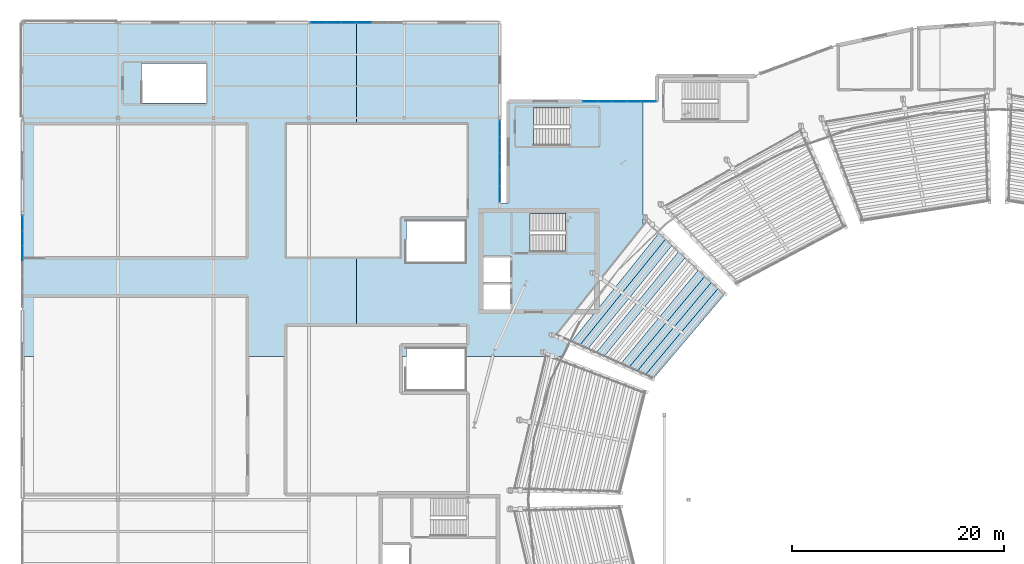
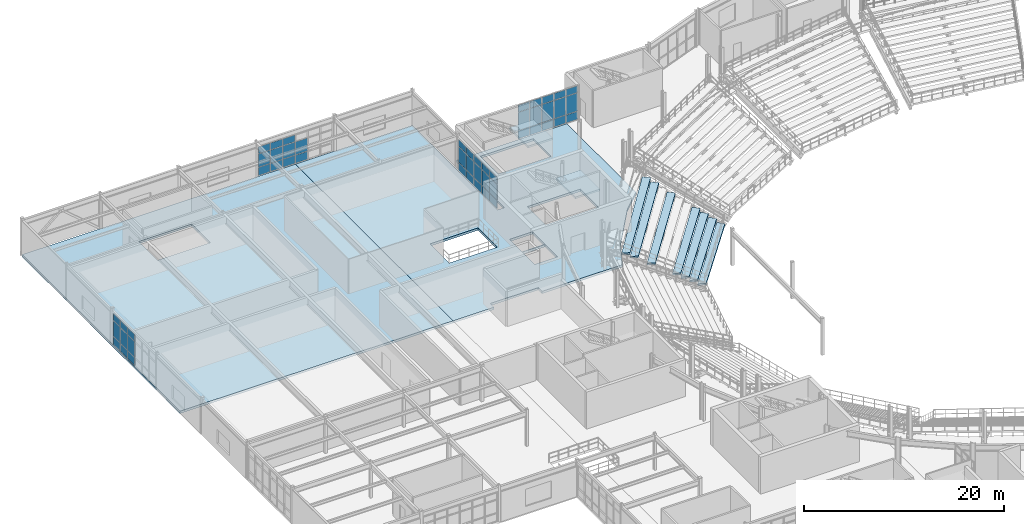
# One storey, part 48 of 81: 50 plates, 11 slabs, 6 elements without a shape of their own.
"""IFC4 building model written with IfcOpenShell, lengths in metres."""

from ifc_helpers import new_model, si_unit, direction, frame, origin, origin_2d, place, context, subcontext, project, spatial, polyline, rectangle, outline, extrude, material, layer, layer_set, type_object, element, aggregate, save


model = new_model("IFC4")

# Units and contexts
model_context = context("Model", 3, precision=1e-05, world=origin(), true_north=direction((0.0, 1.0)))
body_context = subcontext(model_context, "Body", "Model", "MODEL_VIEW")
ifc_project = project(units=[si_unit("LENGTHUNIT", "METRE"), si_unit("AREAUNIT", "SQUARE_METRE"), si_unit("VOLUMEUNIT", "CUBIC_METRE"), si_unit("PLANEANGLEUNIT", "RADIAN"), si_unit("MASSUNIT", "GRAM", prefix="KILO")], contexts=[model_context])

# Site, building, storey
site_placement = place(None, origin())
site = spatial("IfcSite", under=ifc_project, at=site_placement, CompositionType="ELEMENT")
building_placement = place(site_placement, origin())
building = spatial("IfcBuilding", under=site, at=building_placement, Name="Glasvene Arena", CompositionType="ELEMENT")
storey_placement = place(building_placement, frame((0.0, 0.0, 15.0)))
storey = spatial("IfcBuildingStorey", under=building, at=storey_placement, Name="L03", CompositionType="ELEMENT", Elevation=15.0)

# Curtain wall, plates
ifc_material_1 = material(Name="Low-emissivity laminated double glazing", Category="glass")
curtain_wall_type_1 = type_object("IfcCurtainWallType", Name="CW-FAC-L03-864x388", PredefinedType="USERDEFINED", material=ifc_material_1)
curtain_wall_1_placement = place(storey_placement, frame((0.0, 91.172119140625, 0.0)))
curtain_wall_1 = element("IfcCurtainWall", 1, at=curtain_wall_1_placement, inside=storey, type_object=curtain_wall_type_1, Name="Unitised curtain wall CW-F-L03-150-0-955-7", ObjectType="CURTAIN WALL", PredefinedType="USERDEFINED")
ifc_layer_1 = layer(ifc_material_1, 0.028076171875)
ifc_layer_set_1 = layer_set([ifc_layer_1], Name="Low-emissivity laminated double glazing")
plate_type = type_object("IfcPlateType", Name="CW-GLZ-28", PredefinedType="CURTAIN_PANEL", material=ifc_layer_set_1)
plate_1_placement = place(storey_placement, frame((0.0, 96.209716796875, 0.10986328125), z_axis=(0.0, 0.0, 1.0), x_axis=(0.0, 1.0, 0.0)))
plate_1 = element("IfcPlate", 2, at=plate_1_placement, type_object=plate_type, Name="CW-033 panel 4.1", PredefinedType="CURTAIN_PANEL", context=body_context, shape_type="SweptSolid", body=[
    extrude(rectangle(XDim=1.389404296875, YDim=0.028076171875, at=origin_2d()), origin(), (0.0, 0.0, 1.0), 0.965087890625),
])
plate_2_placement = place(storey_placement, frame((0.0, 96.209716796875, 1.125), z_axis=(0.0, 0.0, 1.0), x_axis=(0.0, 1.0, 0.0)))
plate_2 = element("IfcPlate", 3, at=plate_2_placement, type_object=plate_type, Name="CW-033 panel 4.2", PredefinedType="CURTAIN_PANEL", context=body_context, shape_type="SweptSolid", body=[
    extrude(rectangle(XDim=1.389404296875, YDim=0.028076171875, at=origin_2d()), origin(), (0.0, 0.0, 1.0), 1.89501953125),
])
plate_3_placement = place(storey_placement, frame((0.0, 96.209716796875, 3.06982421875), z_axis=(0.0, 0.0, 1.0), x_axis=(0.0, 1.0, 0.0)))
plate_3 = element("IfcPlate", 4, at=plate_3_placement, type_object=plate_type, Name="CW-033 panel 4.3", PredefinedType="CURTAIN_PANEL", context=body_context, shape_type="SweptSolid", body=[
    extrude(rectangle(XDim=1.389404296875, YDim=0.028076171875, at=origin_2d()), origin(), (0.0, 0.0, 1.0), 0.824951171875),
])
plate_4_placement = place(storey_placement, frame((0.0, 97.64892578125, 0.10986328125), z_axis=(0.0, 0.0, 1.0), x_axis=(0.0, 1.0, 0.0)))
plate_4 = element("IfcPlate", 5, at=plate_4_placement, type_object=plate_type, Name="CW-033 panel 5.1", PredefinedType="CURTAIN_PANEL", context=body_context, shape_type="SweptSolid", body=[
    extrude(rectangle(XDim=1.389404296875, YDim=0.028076171875, at=origin_2d()), origin(), (0.0, 0.0, 1.0), 0.965087890625),
])
plate_5_placement = place(storey_placement, frame((0.0, 97.64892578125, 1.125), z_axis=(0.0, 0.0, 1.0), x_axis=(0.0, 1.0, 0.0)))
plate_5 = element("IfcPlate", 6, at=plate_5_placement, type_object=plate_type, Name="CW-033 panel 5.2", PredefinedType="CURTAIN_PANEL", context=body_context, shape_type="SweptSolid", body=[
    extrude(rectangle(XDim=1.389404296875, YDim=0.028076171875, at=origin_2d()), origin(), (0.0, 0.0, 1.0), 1.89501953125),
])
plate_6_placement = place(storey_placement, frame((0.0, 97.64892578125, 3.06982421875), z_axis=(0.0, 0.0, 1.0), x_axis=(0.0, 1.0, 0.0)))
plate_6 = element("IfcPlate", 7, at=plate_6_placement, type_object=plate_type, Name="CW-033 panel 5.3", PredefinedType="CURTAIN_PANEL", context=body_context, shape_type="SweptSolid", body=[
    extrude(rectangle(XDim=1.389404296875, YDim=0.028076171875, at=origin_2d()), origin(), (0.0, 0.0, 1.0), 0.824951171875),
])
plate_7_placement = place(storey_placement, frame((0.0, 99.075927734375, 0.10986328125), z_axis=(0.0, 0.0, 1.0), x_axis=(0.0, 1.0, 0.0)))
plate_7 = element("IfcPlate", 8, at=plate_7_placement, type_object=plate_type, Name="CW-033 panel 6.1", PredefinedType="CURTAIN_PANEL", context=body_context, shape_type="SweptSolid", body=[
    extrude(rectangle(XDim=1.3642578125, YDim=0.028076171875, at=origin_2d()), origin(), (0.0, 0.0, 1.0), 0.965087890625),
])
plate_8_placement = place(storey_placement, frame((0.0, 99.075927734375, 1.125), z_axis=(0.0, 0.0, 1.0), x_axis=(0.0, 1.0, 0.0)))
plate_8 = element("IfcPlate", 9, at=plate_8_placement, type_object=plate_type, Name="CW-033 panel 6.2", PredefinedType="CURTAIN_PANEL", context=body_context, shape_type="SweptSolid", body=[
    extrude(rectangle(XDim=1.3642578125, YDim=0.028076171875, at=origin_2d()), origin(), (0.0, 0.0, 1.0), 1.89501953125),
])
plate_9_placement = place(storey_placement, frame((0.0, 99.075927734375, 3.06982421875), z_axis=(0.0, 0.0, 1.0), x_axis=(0.0, 1.0, 0.0)))
plate_9 = element("IfcPlate", 10, at=plate_9_placement, type_object=plate_type, Name="CW-033 panel 6.3", PredefinedType="CURTAIN_PANEL", context=body_context, shape_type="SweptSolid", body=[
    extrude(rectangle(XDim=1.3642578125, YDim=0.028076171875, at=origin_2d()), origin(), (0.0, 0.0, 1.0), 0.824951171875),
])
aggregate(curtain_wall_1, [plate_1, plate_2, plate_3, plate_4, plate_5, plate_6, plate_7, plate_8, plate_9])

curtain_wall_type_2 = type_object("IfcCurtainWallType", Name="CW-FAC-L03-864x358", PredefinedType="USERDEFINED", material=ifc_material_1)
curtain_wall_2_placement = place(storey_placement, frame((27.170166015625, 118.0, 0.0)))
curtain_wall_2 = element("IfcCurtainWall", 11, at=curtain_wall_2_placement, inside=storey, type_object=curtain_wall_type_2, Name="Unitised curtain wall CW-F-L03-150-315-1180-13", ObjectType="CURTAIN WALL", PredefinedType="USERDEFINED")
plate_10_placement = place(storey_placement, frame((27.902587890625, 118.0, 0.10986328125), z_axis=(0.0, 0.0, 1.0), x_axis=(1.0, 0.0, 0.0)))
plate_10 = element("IfcPlate", 12, at=plate_10_placement, type_object=plate_type, Name="CW-032 panel 1.1", PredefinedType="CURTAIN_PANEL", context=body_context, shape_type="SweptSolid", body=[
    extrude(rectangle(XDim=1.36474609375, YDim=0.028076171875, at=origin_2d()), origin(), (0.0, 0.0, 1.0), 0.965087890625),
])
plate_11_placement = place(storey_placement, frame((27.902587890625, 118.0, 1.125), z_axis=(0.0, 0.0, 1.0), x_axis=(1.0, 0.0, 0.0)))
plate_11 = element("IfcPlate", 13, at=plate_11_placement, type_object=plate_type, Name="CW-032 panel 1.2", PredefinedType="CURTAIN_PANEL", context=body_context, shape_type="SweptSolid", body=[
    extrude(rectangle(XDim=1.36474609375, YDim=0.028076171875, at=origin_2d()), origin(), (0.0, 0.0, 1.0), 1.5869140625),
])
plate_12_placement = place(storey_placement, frame((27.902587890625, 118.0, 2.76220703125), z_axis=(0.0, 0.0, 1.0), x_axis=(1.0, 0.0, 0.0)))
plate_12 = element("IfcPlate", 14, at=plate_12_placement, type_object=plate_type, Name="CW-032 panel 1.3", PredefinedType="CURTAIN_PANEL", context=body_context, shape_type="SweptSolid", body=[
    extrude(rectangle(XDim=1.36474609375, YDim=0.028076171875, at=origin_2d()), origin(), (0.0, 0.0, 1.0), 0.824951171875),
])
plate_13_placement = place(storey_placement, frame((29.32958984375, 118.0, 0.10986328125), z_axis=(0.0, 0.0, 1.0), x_axis=(1.0, 0.0, 0.0)))
plate_13 = element("IfcPlate", 15, at=plate_13_placement, type_object=plate_type, Name="CW-032 panel 2.1", PredefinedType="CURTAIN_PANEL", context=body_context, shape_type="SweptSolid", body=[
    extrude(rectangle(XDim=1.3896484375, YDim=0.028076171875, at=origin_2d()), origin(), (0.0, 0.0, 1.0), 0.965087890625),
])
plate_14_placement = place(storey_placement, frame((29.32958984375, 118.0, 1.125), z_axis=(0.0, 0.0, 1.0), x_axis=(1.0, 0.0, 0.0)))
plate_14 = element("IfcPlate", 16, at=plate_14_placement, type_object=plate_type, Name="CW-032 panel 2.2", PredefinedType="CURTAIN_PANEL", context=body_context, shape_type="SweptSolid", body=[
    extrude(rectangle(XDim=1.3896484375, YDim=0.028076171875, at=origin_2d()), origin(), (0.0, 0.0, 1.0), 1.5869140625),
])
plate_15_placement = place(storey_placement, frame((29.32958984375, 118.0, 2.76220703125), z_axis=(0.0, 0.0, 1.0), x_axis=(1.0, 0.0, 0.0)))
plate_15 = element("IfcPlate", 17, at=plate_15_placement, type_object=plate_type, Name="CW-032 panel 2.3", PredefinedType="CURTAIN_PANEL", context=body_context, shape_type="SweptSolid", body=[
    extrude(rectangle(XDim=1.3896484375, YDim=0.028076171875, at=origin_2d()), origin(), (0.0, 0.0, 1.0), 0.824951171875),
])
plate_16_placement = place(storey_placement, frame((30.769287109375, 118.0, 0.10986328125), z_axis=(0.0, 0.0, 1.0), x_axis=(1.0, 0.0, 0.0)))
plate_16 = element("IfcPlate", 18, at=plate_16_placement, type_object=plate_type, Name="CW-032 panel 3.1", PredefinedType="CURTAIN_PANEL", context=body_context, shape_type="SweptSolid", body=[
    extrude(rectangle(XDim=1.3896484375, YDim=0.028076171875, at=origin_2d()), origin(), (0.0, 0.0, 1.0), 0.965087890625),
])
plate_17_placement = place(storey_placement, frame((30.769287109375, 118.0, 1.125), z_axis=(0.0, 0.0, 1.0), x_axis=(1.0, 0.0, 0.0)))
plate_17 = element("IfcPlate", 19, at=plate_17_placement, type_object=plate_type, Name="CW-032 panel 3.2", PredefinedType="CURTAIN_PANEL", context=body_context, shape_type="SweptSolid", body=[
    extrude(rectangle(XDim=1.3896484375, YDim=0.028076171875, at=origin_2d()), origin(), (0.0, 0.0, 1.0), 1.5869140625),
])
plate_18_placement = place(storey_placement, frame((30.769287109375, 118.0, 2.76220703125), z_axis=(0.0, 0.0, 1.0), x_axis=(1.0, 0.0, 0.0)))
plate_18 = element("IfcPlate", 20, at=plate_18_placement, type_object=plate_type, Name="CW-032 panel 3.3", PredefinedType="CURTAIN_PANEL", context=body_context, shape_type="SweptSolid", body=[
    extrude(rectangle(XDim=1.3896484375, YDim=0.028076171875, at=origin_2d()), origin(), (0.0, 0.0, 1.0), 0.824951171875),
])
plate_19_placement = place(storey_placement, frame((32.208984375, 118.0, 0.10986328125), z_axis=(0.0, 0.0, 1.0), x_axis=(1.0, 0.0, 0.0)))
plate_19 = element("IfcPlate", 21, at=plate_19_placement, type_object=plate_type, Name="CW-032 panel 4.1", PredefinedType="CURTAIN_PANEL", context=body_context, shape_type="SweptSolid", body=[
    extrude(rectangle(XDim=1.3896484375, YDim=0.028076171875, at=origin_2d()), origin(), (0.0, 0.0, 1.0), 0.965087890625),
])
plate_20_placement = place(storey_placement, frame((32.208984375, 118.0, 1.125), z_axis=(0.0, 0.0, 1.0), x_axis=(1.0, 0.0, 0.0)))
plate_20 = element("IfcPlate", 22, at=plate_20_placement, type_object=plate_type, Name="CW-032 panel 4.2", PredefinedType="CURTAIN_PANEL", context=body_context, shape_type="SweptSolid", body=[
    extrude(rectangle(XDim=1.3896484375, YDim=0.028076171875, at=origin_2d()), origin(), (0.0, 0.0, 1.0), 1.5869140625),
])
aggregate(curtain_wall_2, [plate_10, plate_11, plate_12, plate_13, plate_14, plate_15, plate_16, plate_17, plate_18, plate_19, plate_20])

curtain_wall_type_3 = type_object("IfcCurtainWallType", Name="CW-FAC-L03-777x388", PredefinedType="USERDEFINED", material=ifc_material_1)
curtain_wall_3_placement = place(storey_placement, frame((45.0, 108.80810546875, 0.0)))
curtain_wall_3 = element("IfcCurtainWall", 23, at=curtain_wall_3_placement, inside=storey, type_object=curtain_wall_type_3, Name="Unitised curtain wall CW-F-L03-150-450-1049-16", ObjectType="CURTAIN WALL", PredefinedType="USERDEFINED")
plate_21_placement = place(storey_placement, frame((45.0, 108.018798828125, 0.10986328125), z_axis=(0.0, 0.0, 1.0), x_axis=(0.0, -1.0, 0.0)))
plate_21 = element("IfcPlate", 24, at=plate_21_placement, type_object=plate_type, Name="CW-034 panel 1.1", PredefinedType="CURTAIN_PANEL", context=body_context, shape_type="SweptSolid", body=[
    extrude(rectangle(XDim=1.478515625, YDim=0.028076171875, at=origin_2d()), origin(), (0.0, 0.0, 1.0), 0.965087890625),
])
plate_22_placement = place(storey_placement, frame((45.0, 108.018798828125, 1.125), z_axis=(0.0, 0.0, 1.0), x_axis=(0.0, -1.0, 0.0)))
plate_22 = element("IfcPlate", 25, at=plate_22_placement, type_object=plate_type, Name="CW-034 panel 1.2", PredefinedType="CURTAIN_PANEL", context=body_context, shape_type="SweptSolid", body=[
    extrude(rectangle(XDim=1.478515625, YDim=0.028076171875, at=origin_2d()), origin(), (0.0, 0.0, 1.0), 1.89501953125),
])
plate_23_placement = place(storey_placement, frame((45.0, 108.018798828125, 3.06982421875), z_axis=(0.0, 0.0, 1.0), x_axis=(0.0, -1.0, 0.0)))
plate_23 = element("IfcPlate", 26, at=plate_23_placement, type_object=plate_type, Name="CW-034 panel 1.3", PredefinedType="CURTAIN_PANEL", context=body_context, shape_type="SweptSolid", body=[
    extrude(rectangle(XDim=1.478515625, YDim=0.028076171875, at=origin_2d()), origin(), (0.0, 0.0, 1.0), 0.824951171875),
])
plate_24_placement = place(storey_placement, frame((45.0, 106.4775390625, 0.10986328125), z_axis=(0.0, 0.0, 1.0), x_axis=(0.0, -1.0, 0.0)))
plate_24 = element("IfcPlate", 27, at=plate_24_placement, type_object=plate_type, Name="CW-034 panel 2.1", PredefinedType="CURTAIN_PANEL", context=body_context, shape_type="SweptSolid", body=[
    extrude(rectangle(XDim=1.503662109375, YDim=0.028076171875, at=origin_2d()), origin(), (0.0, 0.0, 1.0), 0.965087890625),
])
plate_25_placement = place(storey_placement, frame((45.0, 106.4775390625, 1.125), z_axis=(0.0, 0.0, 1.0), x_axis=(0.0, -1.0, 0.0)))
plate_25 = element("IfcPlate", 28, at=plate_25_placement, type_object=plate_type, Name="CW-034 panel 2.2", PredefinedType="CURTAIN_PANEL", context=body_context, shape_type="SweptSolid", body=[
    extrude(rectangle(XDim=1.503662109375, YDim=0.028076171875, at=origin_2d()), origin(), (0.0, 0.0, 1.0), 1.89501953125),
])
plate_26_placement = place(storey_placement, frame((45.0, 106.4775390625, 3.06982421875), z_axis=(0.0, 0.0, 1.0), x_axis=(0.0, -1.0, 0.0)))
plate_26 = element("IfcPlate", 29, at=plate_26_placement, type_object=plate_type, Name="CW-034 panel 2.3", PredefinedType="CURTAIN_PANEL", context=body_context, shape_type="SweptSolid", body=[
    extrude(rectangle(XDim=1.503662109375, YDim=0.028076171875, at=origin_2d()), origin(), (0.0, 0.0, 1.0), 0.824951171875),
])
plate_27_placement = place(storey_placement, frame((45.0, 104.924072265625, 0.10986328125), z_axis=(0.0, 0.0, 1.0), x_axis=(0.0, -1.0, 0.0)))
plate_27 = element("IfcPlate", 30, at=plate_27_placement, type_object=plate_type, Name="CW-034 panel 3.1", PredefinedType="CURTAIN_PANEL", context=body_context, shape_type="SweptSolid", body=[
    extrude(rectangle(XDim=1.503662109375, YDim=0.028076171875, at=origin_2d()), origin(), (0.0, 0.0, 1.0), 0.965087890625),
])
plate_28_placement = place(storey_placement, frame((45.0, 104.924072265625, 1.125), z_axis=(0.0, 0.0, 1.0), x_axis=(0.0, -1.0, 0.0)))
plate_28 = element("IfcPlate", 31, at=plate_28_placement, type_object=plate_type, Name="CW-034 panel 3.2", PredefinedType="CURTAIN_PANEL", context=body_context, shape_type="SweptSolid", body=[
    extrude(rectangle(XDim=1.503662109375, YDim=0.028076171875, at=origin_2d()), origin(), (0.0, 0.0, 1.0), 1.89501953125),
])
plate_29_placement = place(storey_placement, frame((45.0, 104.924072265625, 3.06982421875), z_axis=(0.0, 0.0, 1.0), x_axis=(0.0, -1.0, 0.0)))
plate_29 = element("IfcPlate", 32, at=plate_29_placement, type_object=plate_type, Name="CW-034 panel 3.3", PredefinedType="CURTAIN_PANEL", context=body_context, shape_type="SweptSolid", body=[
    extrude(rectangle(XDim=1.503662109375, YDim=0.028076171875, at=origin_2d()), origin(), (0.0, 0.0, 1.0), 0.824951171875),
])
plate_30_placement = place(storey_placement, frame((45.0, 103.370361328125, 0.10986328125), z_axis=(0.0, 0.0, 1.0), x_axis=(0.0, -1.0, 0.0)))
plate_30 = element("IfcPlate", 33, at=plate_30_placement, type_object=plate_type, Name="CW-034 panel 4.1", PredefinedType="CURTAIN_PANEL", context=body_context, shape_type="SweptSolid", body=[
    extrude(rectangle(XDim=1.503662109375, YDim=0.028076171875, at=origin_2d()), origin(), (0.0, 0.0, 1.0), 0.965087890625),
])
plate_31_placement = place(storey_placement, frame((45.0, 103.370361328125, 1.125), z_axis=(0.0, 0.0, 1.0), x_axis=(0.0, -1.0, 0.0)))
plate_31 = element("IfcPlate", 34, at=plate_31_placement, type_object=plate_type, Name="CW-034 panel 4.2", PredefinedType="CURTAIN_PANEL", context=body_context, shape_type="SweptSolid", body=[
    extrude(rectangle(XDim=1.503662109375, YDim=0.028076171875, at=origin_2d()), origin(), (0.0, 0.0, 1.0), 1.89501953125),
])
plate_32_placement = place(storey_placement, frame((45.0, 103.370361328125, 3.06982421875), z_axis=(0.0, 0.0, 1.0), x_axis=(0.0, -1.0, 0.0)))
plate_32 = element("IfcPlate", 35, at=plate_32_placement, type_object=plate_type, Name="CW-034 panel 4.3", PredefinedType="CURTAIN_PANEL", context=body_context, shape_type="SweptSolid", body=[
    extrude(rectangle(XDim=1.503662109375, YDim=0.028076171875, at=origin_2d()), origin(), (0.0, 0.0, 1.0), 0.824951171875),
])
plate_33_placement = place(storey_placement, frame((45.0, 101.829345703125, 0.10986328125), z_axis=(0.0, 0.0, 1.0), x_axis=(0.0, -1.0, 0.0)))
plate_33 = element("IfcPlate", 36, at=plate_33_placement, type_object=plate_type, Name="CW-034 panel 5.1", PredefinedType="CURTAIN_PANEL", context=body_context, shape_type="SweptSolid", body=[
    extrude(rectangle(XDim=1.478515625, YDim=0.028076171875, at=origin_2d()), origin(), (0.0, 0.0, 1.0), 0.965087890625),
])
plate_34_placement = place(storey_placement, frame((45.0, 101.829345703125, 1.125), z_axis=(0.0, 0.0, 1.0), x_axis=(0.0, -1.0, 0.0)))
plate_34 = element("IfcPlate", 37, at=plate_34_placement, type_object=plate_type, Name="CW-034 panel 5.2", PredefinedType="CURTAIN_PANEL", context=body_context, shape_type="SweptSolid", body=[
    extrude(rectangle(XDim=1.478515625, YDim=0.028076171875, at=origin_2d()), origin(), (0.0, 0.0, 1.0), 1.89501953125),
])
plate_35_placement = place(storey_placement, frame((45.0, 101.829345703125, 3.06982421875), z_axis=(0.0, 0.0, 1.0), x_axis=(0.0, -1.0, 0.0)))
plate_35 = element("IfcPlate", 38, at=plate_35_placement, type_object=plate_type, Name="CW-034 panel 5.3", PredefinedType="CURTAIN_PANEL", context=body_context, shape_type="SweptSolid", body=[
    extrude(rectangle(XDim=1.478515625, YDim=0.028076171875, at=origin_2d()), origin(), (0.0, 0.0, 1.0), 0.824951171875),
])
aggregate(curtain_wall_3, [plate_21, plate_22, plate_23, plate_24, plate_25, plate_26, plate_27, plate_28, plate_29, plate_30, plate_31, plate_32, plate_33, plate_34, plate_35])

curtain_wall_type_4 = type_object("IfcCurtainWallType", Name="CW-FAC-L03-692x419", PredefinedType="USERDEFINED", material=ifc_material_1)
curtain_wall_4_placement = place(storey_placement, frame((52.840087890625, 110.550048828125, 0.0)))
curtain_wall_4 = element("IfcCurtainWall", 39, at=curtain_wall_4_placement, inside=storey, type_object=curtain_wall_type_4, Name="Unitised curtain wall CW-F-L03-180-563-1106-19", ObjectType="CURTAIN WALL", PredefinedType="USERDEFINED")
plate_36_placement = place(storey_placement, frame((53.54443359375, 110.550048828125, 0.10986328125), z_axis=(0.0, 0.0, 1.0), x_axis=(1.0, 0.0, 0.0)))
plate_36 = element("IfcPlate", 40, at=plate_36_placement, type_object=plate_type, Name="CW-035 panel 1.1", PredefinedType="CURTAIN_PANEL", context=body_context, shape_type="SweptSolid", body=[
    extrude(rectangle(XDim=1.30908203125, YDim=0.028076171875, at=origin_2d()), origin(), (0.0, 0.0, 1.0), 0.965087890625),
])
plate_37_placement = place(storey_placement, frame((53.54443359375, 110.550048828125, 1.125), z_axis=(0.0, 0.0, 1.0), x_axis=(1.0, 0.0, 0.0)))
plate_37 = element("IfcPlate", 41, at=plate_37_placement, type_object=plate_type, Name="CW-035 panel 1.2", PredefinedType="CURTAIN_PANEL", context=body_context, shape_type="SweptSolid", body=[
    extrude(rectangle(XDim=1.30908203125, YDim=0.028076171875, at=origin_2d()), origin(), (0.0, 0.0, 1.0), 2.199951171875),
])
plate_38_placement = place(storey_placement, frame((53.54443359375, 110.550048828125, 3.375), z_axis=(0.0, 0.0, 1.0), x_axis=(1.0, 0.0, 0.0)))
plate_38 = element("IfcPlate", 42, at=plate_38_placement, type_object=plate_type, Name="CW-035 panel 1.3", PredefinedType="CURTAIN_PANEL", context=body_context, shape_type="SweptSolid", body=[
    extrude(rectangle(XDim=1.30908203125, YDim=0.028076171875, at=origin_2d()), origin(), (0.0, 0.0, 1.0), 0.824951171875),
])
plate_39_placement = place(storey_placement, frame((54.916015625, 110.550048828125, 0.10986328125), z_axis=(0.0, 0.0, 1.0), x_axis=(1.0, 0.0, 0.0)))
plate_39 = element("IfcPlate", 43, at=plate_39_placement, type_object=plate_type, Name="CW-035 panel 2.1", PredefinedType="CURTAIN_PANEL", context=body_context, shape_type="SweptSolid", body=[
    extrude(rectangle(XDim=1.333984375, YDim=0.028076171875, at=origin_2d()), origin(), (0.0, 0.0, 1.0), 0.965087890625),
])
plate_40_placement = place(storey_placement, frame((54.916015625, 110.550048828125, 1.125), z_axis=(0.0, 0.0, 1.0), x_axis=(1.0, 0.0, 0.0)))
plate_40 = element("IfcPlate", 44, at=plate_40_placement, type_object=plate_type, Name="CW-035 panel 2.2", PredefinedType="CURTAIN_PANEL", context=body_context, shape_type="SweptSolid", body=[
    extrude(rectangle(XDim=1.333984375, YDim=0.028076171875, at=origin_2d()), origin(), (0.0, 0.0, 1.0), 2.199951171875),
])
plate_41_placement = place(storey_placement, frame((54.916015625, 110.550048828125, 3.375), z_axis=(0.0, 0.0, 1.0), x_axis=(1.0, 0.0, 0.0)))
plate_41 = element("IfcPlate", 45, at=plate_41_placement, type_object=plate_type, Name="CW-035 panel 2.3", PredefinedType="CURTAIN_PANEL", context=body_context, shape_type="SweptSolid", body=[
    extrude(rectangle(XDim=1.333984375, YDim=0.028076171875, at=origin_2d()), origin(), (0.0, 0.0, 1.0), 0.824951171875),
])
plate_42_placement = place(storey_placement, frame((56.300048828125, 110.550048828125, 0.10986328125), z_axis=(0.0, 0.0, 1.0), x_axis=(1.0, 0.0, 0.0)))
plate_42 = element("IfcPlate", 46, at=plate_42_placement, type_object=plate_type, Name="CW-035 panel 3.1", PredefinedType="CURTAIN_PANEL", context=body_context, shape_type="SweptSolid", body=[
    extrude(rectangle(XDim=1.333984375, YDim=0.028076171875, at=origin_2d()), origin(), (0.0, 0.0, 1.0), 0.965087890625),
])
plate_43_placement = place(storey_placement, frame((56.300048828125, 110.550048828125, 1.125), z_axis=(0.0, 0.0, 1.0), x_axis=(1.0, 0.0, 0.0)))
plate_43 = element("IfcPlate", 47, at=plate_43_placement, type_object=plate_type, Name="CW-035 panel 3.2", PredefinedType="CURTAIN_PANEL", context=body_context, shape_type="SweptSolid", body=[
    extrude(rectangle(XDim=1.333984375, YDim=0.028076171875, at=origin_2d()), origin(), (0.0, 0.0, 1.0), 2.199951171875),
])
plate_44_placement = place(storey_placement, frame((56.300048828125, 110.550048828125, 3.375), z_axis=(0.0, 0.0, 1.0), x_axis=(1.0, 0.0, 0.0)))
plate_44 = element("IfcPlate", 48, at=plate_44_placement, type_object=plate_type, Name="CW-035 panel 3.3", PredefinedType="CURTAIN_PANEL", context=body_context, shape_type="SweptSolid", body=[
    extrude(rectangle(XDim=1.333984375, YDim=0.028076171875, at=origin_2d()), origin(), (0.0, 0.0, 1.0), 0.824951171875),
])
plate_45_placement = place(storey_placement, frame((57.68408203125, 110.550048828125, 0.10986328125), z_axis=(0.0, 0.0, 1.0), x_axis=(1.0, 0.0, 0.0)))
plate_45 = element("IfcPlate", 49, at=plate_45_placement, type_object=plate_type, Name="CW-035 panel 4.1", PredefinedType="CURTAIN_PANEL", context=body_context, shape_type="SweptSolid", body=[
    extrude(rectangle(XDim=1.333984375, YDim=0.028076171875, at=origin_2d()), origin(), (0.0, 0.0, 1.0), 0.965087890625),
])
plate_46_placement = place(storey_placement, frame((57.68408203125, 110.550048828125, 1.125), z_axis=(0.0, 0.0, 1.0), x_axis=(1.0, 0.0, 0.0)))
plate_46 = element("IfcPlate", 50, at=plate_46_placement, type_object=plate_type, Name="CW-035 panel 4.2", PredefinedType="CURTAIN_PANEL", context=body_context, shape_type="SweptSolid", body=[
    extrude(rectangle(XDim=1.333984375, YDim=0.028076171875, at=origin_2d()), origin(), (0.0, 0.0, 1.0), 2.199951171875),
])
plate_47_placement = place(storey_placement, frame((57.68408203125, 110.550048828125, 3.375), z_axis=(0.0, 0.0, 1.0), x_axis=(1.0, 0.0, 0.0)))
plate_47 = element("IfcPlate", 51, at=plate_47_placement, type_object=plate_type, Name="CW-035 panel 4.3", PredefinedType="CURTAIN_PANEL", context=body_context, shape_type="SweptSolid", body=[
    extrude(rectangle(XDim=1.333984375, YDim=0.028076171875, at=origin_2d()), origin(), (0.0, 0.0, 1.0), 0.824951171875),
])
plate_48_placement = place(storey_placement, frame((59.055419921875, 110.550048828125, 0.10986328125), z_axis=(0.0, 0.0, 1.0), x_axis=(1.0, 0.0, 0.0)))
plate_48 = element("IfcPlate", 52, at=plate_48_placement, type_object=plate_type, Name="CW-035 panel 5.1", PredefinedType="CURTAIN_PANEL", context=body_context, shape_type="SweptSolid", body=[
    extrude(rectangle(XDim=1.30908203125, YDim=0.028076171875, at=origin_2d()), origin(), (0.0, 0.0, 1.0), 0.965087890625),
])
plate_49_placement = place(storey_placement, frame((59.055419921875, 110.550048828125, 1.125), z_axis=(0.0, 0.0, 1.0), x_axis=(1.0, 0.0, 0.0)))
plate_49 = element("IfcPlate", 53, at=plate_49_placement, type_object=plate_type, Name="CW-035 panel 5.2", PredefinedType="CURTAIN_PANEL", context=body_context, shape_type="SweptSolid", body=[
    extrude(rectangle(XDim=1.30908203125, YDim=0.028076171875, at=origin_2d()), origin(), (0.0, 0.0, 1.0), 2.199951171875),
])
plate_50_placement = place(storey_placement, frame((59.055419921875, 110.550048828125, 3.375), z_axis=(0.0, 0.0, 1.0), x_axis=(1.0, 0.0, 0.0)))
plate_50 = element("IfcPlate", 54, at=plate_50_placement, type_object=plate_type, Name="CW-035 panel 5.3", PredefinedType="CURTAIN_PANEL", context=body_context, shape_type="SweptSolid", body=[
    extrude(rectangle(XDim=1.30908203125, YDim=0.028076171875, at=origin_2d()), origin(), (0.0, 0.0, 1.0), 0.824951171875),
])
aggregate(curtain_wall_4, [plate_36, plate_37, plate_38, plate_39, plate_40, plate_41, plate_42, plate_43, plate_44, plate_45, plate_46, plate_47, plate_48, plate_49, plate_50])

# Slabs
ifc_material_2 = material(Name="Concrete C40/50", Category="concrete")
ifc_layer_2 = layer(ifc_material_2, 0.280029296875)
ifc_layer_set_2 = layer_set([ifc_layer_2], Name="Concrete C40/50")
slab_type_1 = type_object("IfcSlabType", Name="SL-CONC-280", PredefinedType="FLOOR", material=ifc_layer_set_2)
slab_1_placement = place(storey_placement, frame((15.75, 102.25, -0.280029296875)))
element("IfcSlab", 55, at=slab_1_placement, inside=storey, type_object=slab_type_1, Name="Structural floor slab L03 sector 4-1 (95)", PredefinedType="FLOOR", context=body_context, shape_type="SweptSolid", body=[
    extrude(outline(polyline([(15.75, 15.75), (15.75, -15.75), (-15.75, -15.75), (-15.75, 15.75), (15.75, 15.75)]), holes=[polyline([(1.550048828125, 8.14990234375), (1.550048828125, 11.89990234375), (-4.548095703125, 11.89990234375), (-4.548095703125, 8.14990234375), (1.550048828125, 8.14990234375)])]), origin(), (0.0, 0.0, 1.0), 0.280029296875),
])
slab_2_placement = place(storey_placement, frame((45.158935546875, 97.373291015625, -0.280029296875)))
element("IfcSlab", 56, at=slab_2_placement, inside=storey, type_object=slab_type_1, Name="Structural floor slab L03 sector 4-2 (96)", PredefinedType="FLOOR", context=body_context, shape_type="SweptSolid", body=[
    extrude(outline(polyline([(-0.158935546875, 3.626708984375), (0.64111328125, 3.626708984375), (0.64111328125, 13.1767578125), (13.341064453125, 13.1767578125), (13.341064453125, -0.60595703125), (11.08251953125, -2.801513671875), (7.45849609375, -7.711669921875), (5.88134765625, -10.873291015625), (-3.4189453125, -10.873291015625), (-3.4189453125, -10.123291015625), (-8.95703125, -10.123291015625), (-8.95703125, -10.873291015625), (-13.658935546875, -10.873291015625), (-13.658935546875, 20.626708984375), (-0.158935546875, 20.626708984375), (-0.158935546875, 3.626708984375)]), holes=[polyline([(0.941162109375, -6.42333984375), (0.941162109375, -3.973388671875), (-1.708984375, -3.973388671875), (-1.708984375, -6.42333984375), (0.941162109375, -6.42333984375)]), polyline([(0.941162109375, -3.873291015625), (0.941162109375, -1.42333984375), (-1.708984375, -1.42333984375), (-1.708984375, -3.873291015625), (0.941162109375, -3.873291015625)]), polyline([(-3.4189453125, -1.973388671875), (-3.4189453125, 1.876708984375), (-8.95703125, 1.876708984375), (-8.95703125, -1.973388671875), (-3.4189453125, -1.973388671875)]), polyline([(8.791015625, -1.023193359375), (8.791015625, 2.626708984375), (2.693115234375, 2.626708984375), (2.693115234375, -1.023193359375), (8.791015625, -1.023193359375)]), polyline([(9.14111328125, 9.026611328125), (9.14111328125, 12.57666015625), (3.04296875, 12.57666015625), (3.04296875, 9.026611328125), (9.14111328125, 9.026611328125)])]), origin(), (0.0, 0.0, 1.0), 0.280029296875),
])

# Stair, slab
stair_type_1 = type_object("IfcStairType", Name="ST-HT-450-170", PredefinedType="HALF_TURN_STAIR", material=ifc_material_2)
stair_1_placement = place(storey_placement, origin())
stair_1 = element("IfcStair", 57, at=stair_1_placement, inside=storey, type_object=stair_type_1, Name="Protected escape stair ST-01 (L03 to L04)", PredefinedType="HALF_TURN_STAIR")
ifc_layer_3 = layer(ifc_material_2, 0.219970703125)
ifc_layer_set_3 = layer_set([ifc_layer_3], Name="Concrete C40/50")
slab_type_2 = type_object("IfcSlabType", Name="SL-LAND-220", PredefinedType="LANDING", material=ifc_layer_set_3)
slab_3_placement = place(storey_placement, frame((52.6298828125, 98.175048828125, 2.030029296875)))
slab_3 = element("IfcSlab", 58, at=slab_3_placement, type_object=slab_type_2, Name="Protected escape stair ST-01 (L03 to L04) landing 1", PredefinedType="LANDING", context=body_context, shape_type="SweptSolid", body=[
    extrude(outline(polyline([(-1.419921875, -1.925048828125), (1.420166015625, -1.925048828125), (1.420166015625, 1.925048828125), (-1.419921875, 1.925048828125), (-1.419921875, -1.925048828125)])), origin(), (0.0, 0.0, 1.0), 0.219970703125),
])
aggregate(stair_1, [slab_3])

stair_type_2 = type_object("IfcStairType", Name="ST-HT-450-165", PredefinedType="HALF_TURN_STAIR", material=ifc_material_2)
stair_2_placement = place(storey_placement, origin())
stair_2 = element("IfcStair", 59, at=stair_2_placement, inside=storey, type_object=stair_type_2, Name="Protected escape stair ST-12 (L03 to L04)", PredefinedType="HALF_TURN_STAIR")
slab_4_placement = place(storey_placement, frame((52.97998046875, 108.175048828125, 2.030029296875)))
slab_4 = element("IfcSlab", 60, at=slab_4_placement, type_object=slab_type_2, Name="Protected escape stair ST-12 (L03 to L04) landing 1", PredefinedType="LANDING", context=body_context, shape_type="SweptSolid", body=[
    extrude(outline(polyline([(-1.419921875, -1.875), (1.419921875, -1.875), (1.419921875, 1.875), (-1.419921875, 1.875), (-1.419921875, -1.875)])), origin(), (0.0, 0.0, 1.0), 0.219970703125),
])
aggregate(stair_2, [slab_4])

# Slabs
ifc_material_3 = material(Name="Precast concrete C50/60", Category="concrete")
ifc_layer_4 = layer(ifc_material_3, 0.199951171875)
ifc_layer_set_4 = layer_set([ifc_layer_4], Name="Precast concrete C50/60")
slab_type_3 = type_object("IfcSlabType", Name="SL-TIER-UP", PredefinedType="USERDEFINED", material=ifc_layer_set_4)
slab_5_placement = place(storey_placement, frame((62.496826171875, 88.609130859375, -4.10009765625)))
element("IfcSlab", 61, at=slab_5_placement, inside=storey, type_object=slab_type_3, Name="Stand upper tier sector 07 row 01", ObjectType="SEATING TIER", PredefinedType="USERDEFINED", context=body_context, shape_type="SweptSolid", body=[
    extrude(outline(polyline([(3.765625, 3.8046875), (-3.0693359375, -4.26953125), (-3.84716796875, -3.926513671875), (3.15087890625, 4.391845703125), (3.765625, 3.8046875)])), origin(), (0.0, 0.0, 1.0), 0.2001953125),
])
slab_6_placement = place(storey_placement, frame((61.80078125, 89.074462890625, -3.6201171875)))
element("IfcSlab", 62, at=slab_6_placement, inside=storey, type_object=slab_type_3, Name="Stand upper tier sector 07 row 02", ObjectType="SEATING TIER", PredefinedType="USERDEFINED", context=body_context, shape_type="SweptSolid", body=[
    extrude(outline(polyline([(3.846923828125, 3.926513671875), (-3.151123046875, -4.391845703125), (-3.9287109375, -4.048828125), (3.232421875, 4.513916015625), (3.846923828125, 3.926513671875)])), origin(), (0.0, 0.0, 1.0), 0.2001953125),
])
slab_7_placement = place(storey_placement, frame((61.1044921875, 89.53955078125, -3.139892578125)))
element("IfcSlab", 63, at=slab_7_placement, inside=storey, type_object=slab_type_3, Name="Stand upper tier sector 07 row 03", ObjectType="SEATING TIER", PredefinedType="USERDEFINED", context=body_context, shape_type="SweptSolid", body=[
    extrude(outline(polyline([(3.9287109375, 4.048828125), (-3.232421875, -4.513916015625), (-4.01025390625, -4.1708984375), (3.314208984375, 4.635986328125), (3.9287109375, 4.048828125)])), origin(), (0.0, 0.0, 1.0), 0.199951171875),
])
slab_8_placement = place(storey_placement, frame((60.408447265625, 90.004638671875, -2.659912109375)))
element("IfcSlab", 64, at=slab_8_placement, inside=storey, type_object=slab_type_3, Name="Stand upper tier sector 07 row 04", ObjectType="SEATING TIER", PredefinedType="USERDEFINED", context=body_context, shape_type="SweptSolid", body=[
    extrude(outline(polyline([(4.01025390625, 4.1708984375), (-3.314208984375, -4.635986328125), (-4.091796875, -4.29296875), (3.395751953125, 4.758056640625), (4.01025390625, 4.1708984375)])), origin(), (0.0, 0.0, 1.0), 0.199951171875),
])
slab_9_placement = place(storey_placement, frame((58.320068359375, 91.400146484375, -1.219970703125)))
element("IfcSlab", 65, at=slab_9_placement, inside=storey, type_object=slab_type_3, Name="Stand upper tier sector 07 row 07", ObjectType="SEATING TIER", PredefinedType="USERDEFINED", context=body_context, shape_type="SweptSolid", body=[
    extrude(outline(polyline([(4.255126953125, 4.537109375), (-3.55908203125, -5.00244140625), (-4.336669921875, -4.659423828125), (3.640625, 5.124267578125), (4.255126953125, 4.537109375)])), origin(), (0.0, 0.0, 1.0), 0.199951171875),
])
slab_10_placement = place(storey_placement, frame((56.927978515625, 92.330322265625, -0.260009765625)))
element("IfcSlab", 66, at=slab_10_placement, inside=storey, type_object=slab_type_3, Name="Stand upper tier sector 07 row 09", ObjectType="SEATING TIER", PredefinedType="USERDEFINED", context=body_context, shape_type="SweptSolid", body=[
    extrude(outline(polyline([(4.418212890625, 4.781494140625), (-3.72216796875, -5.24658203125), (-4.5, -4.903564453125), (3.8037109375, 5.36865234375), (4.418212890625, 4.781494140625)])), origin(), (0.0, 0.0, 1.0), 0.199951171875),
])
slab_11_placement = place(storey_placement, frame((56.231689453125, 92.79541015625, 0.219970703125)))
element("IfcSlab", 67, at=slab_11_placement, inside=storey, type_object=slab_type_3, Name="Stand upper tier sector 07 row 10", ObjectType="SEATING TIER", PredefinedType="USERDEFINED", context=body_context, shape_type="SweptSolid", body=[
    extrude(outline(polyline([(4.5, 4.903564453125), (-3.8037109375, -5.36865234375), (-4.581298828125, -5.025634765625), (3.885498046875, 5.490966796875), (4.5, 4.903564453125)])), origin(), (0.0, 0.0, 1.0), 0.199951171875),
])

save(model, "model.ifc")
